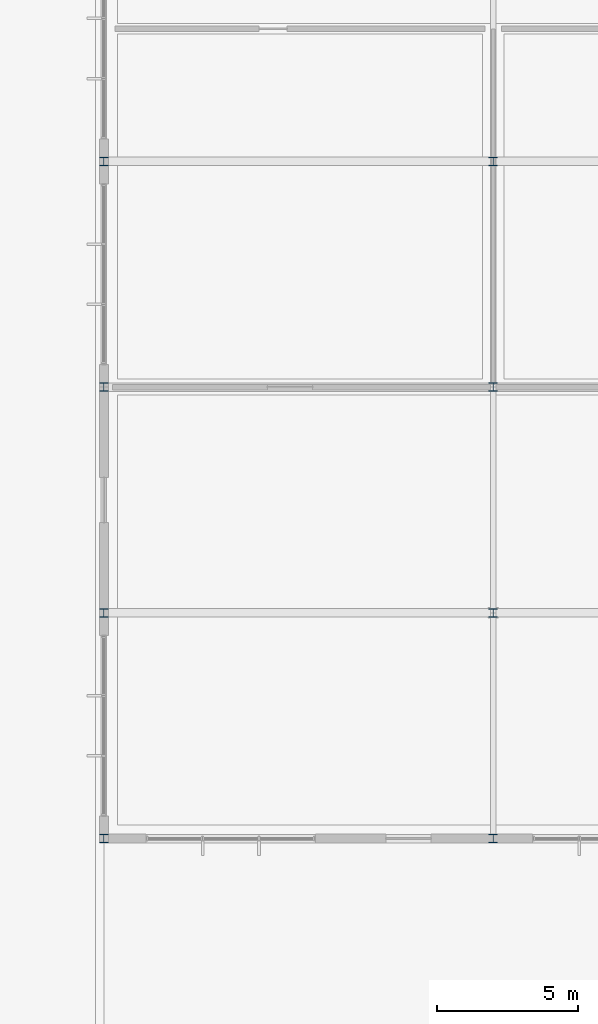
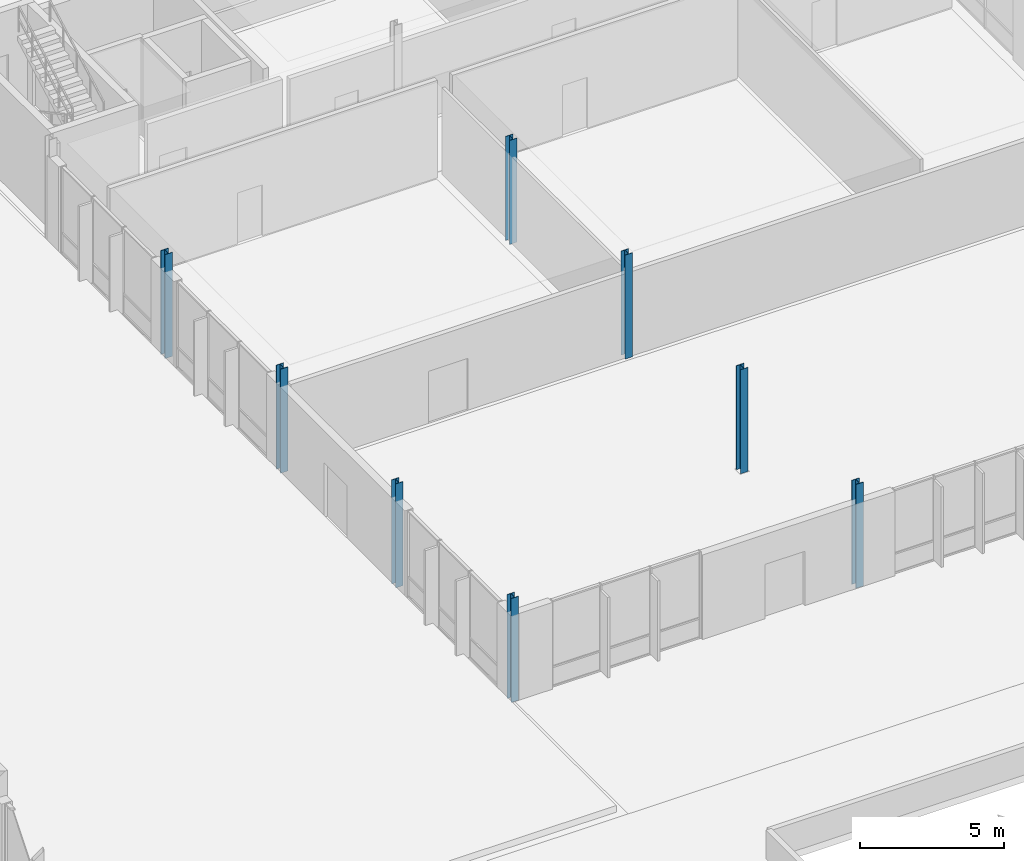
# One storey, part 14 of 233: 8 columns.
"""IFC4 building model written with IfcOpenShell, lengths in metres."""

from ifc_helpers import new_model, si_unit, direction, frame, origin, origin_2d, place, context, subcontext, project, spatial, i_section, extrude, material, material_profile, profile_set, type_object, element, save


model = new_model("IFC4")

# Units and contexts
model_context = context("Model", 3, precision=1e-05, world=origin(), true_north=direction((0.0, 1.0)))
body_context = subcontext(model_context, "Body", "Model", "MODEL_VIEW")
ifc_project = project(units=[si_unit("LENGTHUNIT", "METRE"), si_unit("AREAUNIT", "SQUARE_METRE"), si_unit("VOLUMEUNIT", "CUBIC_METRE"), si_unit("PLANEANGLEUNIT", "RADIAN"), si_unit("MASSUNIT", "GRAM", prefix="KILO")], contexts=[model_context])

# Site, building, storey
site_placement = place(None, origin())
site = spatial("IfcSite", under=ifc_project, at=site_placement, CompositionType="ELEMENT")
building_placement = place(site_placement, origin())
building = spatial("IfcBuilding", under=site, at=building_placement, Name="Zavelmont Quarter", CompositionType="ELEMENT")
storey_placement = place(building_placement, origin())
storey = spatial("IfcBuildingStorey", under=building, at=storey_placement, Name="L00", CompositionType="ELEMENT", Elevation=0.0)

# Columns
ifc_material = material(Name="Steel S355", Category="steel")
ifc_material_profile = material_profile(ifc_material, i_section(OverallWidth=0.300048828125, OverallDepth=0.300048828125, WebThickness=0.010986328125, FlangeThickness=0.01904296875, at=origin_2d()), Name="HEB 300")
ifc_profile_set = profile_set([ifc_material_profile], Name="Steel S355")
column_type = type_object("IfcColumnType", Name="CL10", PredefinedType="COLUMN", material=ifc_profile_set)
for number, where, z_axis, x_axis, name in (
    (1, (133.5, 38.0, 0.0), (0.0, 0.0, 1.0), (1.0, 0.0, 0.0), "L00 column CL10 at 20/G"),
    (2, (133.5, 46.0, 0.0), (0.0, 0.0, 1.0), (1.0, 0.0, 0.0), "L00 column CL10 at 20/H"),
    (3, (133.5, 54.0, 0.0), (0.0, 0.0, 1.0), (1.0, 0.0, 0.0), "L00 column CL10 at 20/J"),
    (4, (133.5, 62.0, 0.0), (0.0, 0.0, 1.0), (1.0, 0.0, 0.0), "L00 column CL10 at 20/K"),
    (5, (147.300048828125, 38.0, 0.0), (0.0, 0.0, 1.0), (1.0, 0.0, 0.0), "L00 column CL10 at 22/G"),
    (6, (147.300048828125, 46.0, 0.0), (0.0, 0.0, 1.0), (1.0, 0.0, 0.0), "L00 column CL10 at 22/H"),
    (7, (147.300048828125, 54.0, 0.0), (0.0, 0.0, 1.0), (1.0, 0.0, 0.0), "L00 column CL10 at 22/J"),
    (8, (147.300048828125, 62.0, 0.0), (0.0, 0.0, 1.0), (1.0, 0.0, 0.0), "L00 column CL10 at 22/K"),
):
    element("IfcColumn", number, at=place(storey_placement, frame(where, z_axis=z_axis, x_axis=x_axis)), inside=storey, type_object=column_type, Name=name, PredefinedType="COLUMN", context=body_context, shape_type="SweptSolid", body=[
        extrude(i_section(OverallWidth=0.300048828125, OverallDepth=0.300048828125, WebThickness=0.010986328125, FlangeThickness=0.01904296875, at=origin_2d()), origin(), (0.0, 0.0, 1.0), 4.39990234375),
    ])

save(model, "model.ifc")
